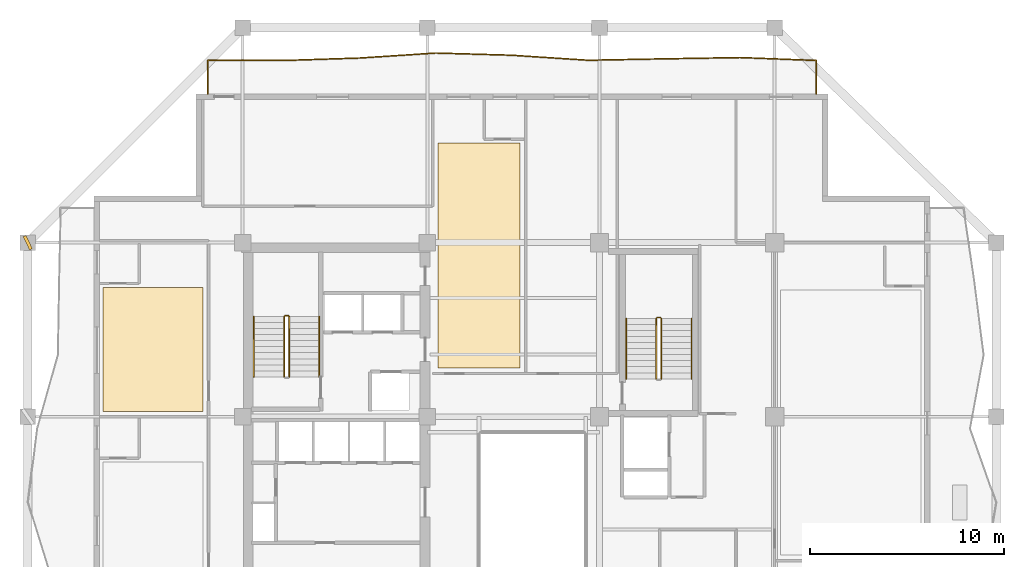
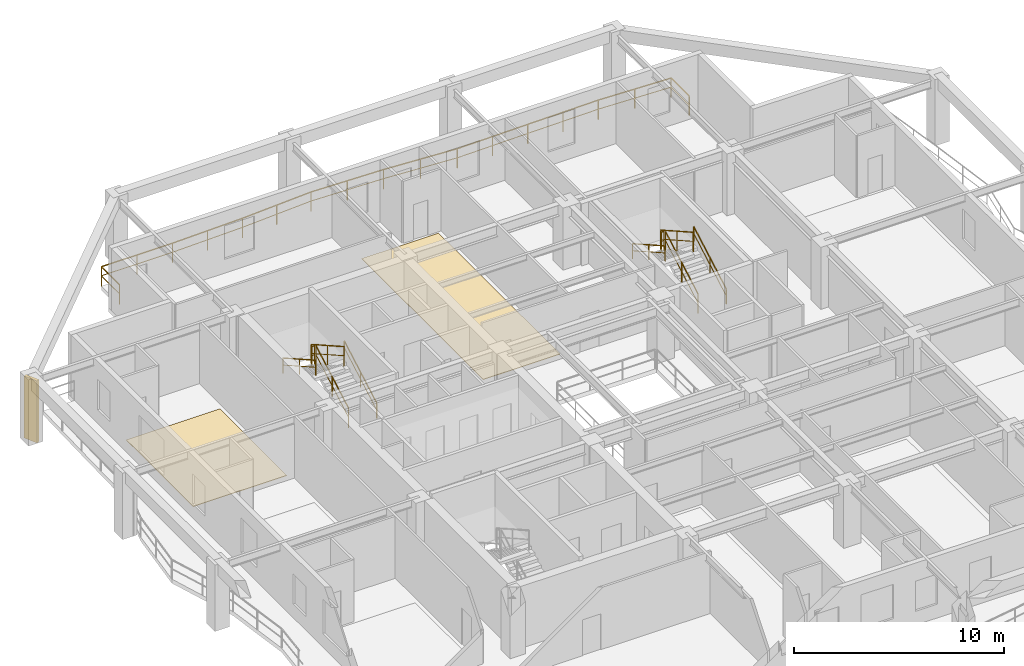
# One storey, part 11 of 12: 11 railings, 2 coverings, 1 shading device.
"""IFC4 building model written with IfcOpenShell, lengths in metres."""

from ifc_helpers import new_model, si_unit, direction, frame, origin, origin_2d, place, context, subcontext, project, spatial, polyline, rectangle, outline, extrude, material, layer, layer_set, type_object, element, save


model = new_model("IFC4")

# Units and contexts
model_context = context("Model", 3, precision=1e-05, world=origin(), true_north=direction((0.0, 1.0)))
body_context = subcontext(model_context, "Body", "Model", "MODEL_VIEW")
ifc_project = project(units=[si_unit("LENGTHUNIT", "METRE"), si_unit("AREAUNIT", "SQUARE_METRE"), si_unit("VOLUMEUNIT", "CUBIC_METRE"), si_unit("PLANEANGLEUNIT", "RADIAN"), si_unit("MASSUNIT", "GRAM", prefix="KILO")], contexts=[model_context])

# Site, building, storey
site_placement = place(None, origin())
site = spatial("IfcSite", under=ifc_project, at=site_placement, CompositionType="ELEMENT")
building_placement = place(site_placement, origin())
building = spatial("IfcBuilding", under=site, at=building_placement, Name="Kundavana Baori Tower", CompositionType="ELEMENT")
storey_placement = place(building_placement, frame((0.0, 0.0, 173.300048828125)))
storey = spatial("IfcBuildingStorey", under=building, at=storey_placement, Name="L42", CompositionType="ELEMENT", Elevation=173.300048828125)

# Coverings
ifc_material_1 = material(Name="Honed Kota Stone and Terrazzo Flooring", Category="masonry")
ifc_layer = layer(ifc_material_1, 0.030029296875, Name="COV-INT-FLR")
ifc_layer_set = layer_set([ifc_layer], Name="Honed Kota Stone and Terrazzo Flooring")
covering_type = type_object("IfcCoveringType", Name="COV-INT-FLR", PredefinedType="FLOORING", material=ifc_layer_set)
covering_1_placement = place(storey_placement, origin())
element("IfcCovering", 1, at=covering_1_placement, inside=storey, type_object=covering_type, Name="L42 Room Finished Stone Flooring 3", PredefinedType="FLOORING", context=body_context, shape_type="SweptSolid", body=[
    extrude(outline(polyline([(8.280029296875, 33.280029296875), (13.419921875, 33.280029296875), (13.419921875, 39.64990234375), (8.280029296875, 39.64990234375), (8.280029296875, 33.280029296875)])), origin(), (0.0, 0.0, 1.0), 0.030029296875),
])
covering_2_placement = place(storey_placement, origin())
element("IfcCovering", 2, at=covering_2_placement, inside=storey, type_object=covering_type, Name="L42 Room Finished Stone Flooring 9", PredefinedType="FLOORING", context=body_context, shape_type="SweptSolid", body=[
    extrude(outline(polyline([(25.5, 35.5), (29.719970703125, 35.5), (29.719970703125, 47.070068359375), (25.5, 47.070068359375), (25.5, 35.5)])), origin(), (0.0, 0.0, 1.0), 0.030029296875),
])

# Railings
ifc_material_2 = material(Name="Architectural Patinated Bronze Metalwork")
railing_type_1 = type_object("IfcRailingType", Name="RL-BAL-1150", PredefinedType="BALUSTRADE", material=ifc_material_2)
railing_1_placement = place(storey_placement, frame((13.64990234375, 49.60009765625, 0.0)))
element("IfcRailing", 3, at=railing_1_placement, inside=storey, type_object=railing_type_1, Name="L42 Loggia Balcony Balustrade N", PredefinedType="BALUSTRADE", context=body_context, shape_type="SweptSolid", body=[
    extrude(rectangle(XDim=0.048095703125, YDim=0.048095703125, at=origin_2d()), frame((0.0, 0.0, 1.1259765625), z_axis=(0.0, 1.0, 0.0), x_axis=(-1.0, 0.0, 0.0)), (0.0, 0.0, 1.0), 1.719970703125),
    extrude(rectangle(XDim=0.03125, YDim=0.03125, at=origin_2d()), frame((0.0, 0.0, 0.597900390625), z_axis=(0.0, 1.0, 0.0), x_axis=(-1.0, 0.0, 0.0)), (0.0, 0.0, 1.0), 1.719970703125),
    extrude(rectangle(XDim=0.048095703125, YDim=0.048095703125, at=origin_2d()), frame((0.0, 1.719970703125, 1.1259765625), z_axis=(1.0, 0.0, 0.0), x_axis=(0.0, 1.0, 0.0)), (0.0, 0.0, 1.0), 3.912109375),
    extrude(rectangle(XDim=0.03125, YDim=0.03125, at=origin_2d()), frame((0.0, 1.719970703125, 0.597900390625), z_axis=(1.0, 0.0, 0.0), x_axis=(0.0, 1.0, 0.0)), (0.0, 0.0, 1.0), 3.912109375),
    extrude(rectangle(XDim=0.048095703125, YDim=0.048095703125, at=origin_2d()), frame((3.912109375, 1.719970703125, 1.1259765625), z_axis=(0.999474133691, 0.032426163559, 0.0), x_axis=(-0.032426163559, 0.999474133691, 0.0)), (0.0, 0.0, 1.0), 3.9150390625),
    extrude(rectangle(XDim=0.03125, YDim=0.03125, at=origin_2d()), frame((3.912109375, 1.719970703125, 0.597900390625), z_axis=(0.999474133691, 0.032426163559, 0.0), x_axis=(-0.032426163559, 0.999474133691, 0.0)), (0.0, 0.0, 1.0), 3.9150390625),
    extrude(rectangle(XDim=0.048095703125, YDim=0.048095703125, at=origin_2d()), frame((7.8251953125, 1.846923828125, 1.1259765625), z_axis=(0.997848610689, 0.065560278721, 0.0), x_axis=(-0.065560278721, 0.997848610689, 0.0)), (0.0, 0.0, 1.0), 3.92138671875),
    extrude(rectangle(XDim=0.03125, YDim=0.03125, at=origin_2d()), frame((7.8251953125, 1.846923828125, 0.597900390625), z_axis=(0.997848610689, 0.065560278721, 0.0), x_axis=(-0.065560278721, 0.997848610689, 0.0)), (0.0, 0.0, 1.0), 3.92138671875),
    extrude(rectangle(XDim=0.048095703125, YDim=0.048095703125, at=origin_2d()), frame((11.738037109375, 2.10400390625, 1.1259765625), z_axis=(0.999575590256, -0.029131415417, 0.0), x_axis=(0.029131415417, 0.999575590256, 0.0)), (0.0, 0.0, 1.0), 3.913818359375),
    extrude(rectangle(XDim=0.03125, YDim=0.03125, at=origin_2d()), frame((11.738037109375, 2.10400390625, 0.597900390625), z_axis=(0.999575590256, -0.029131415417, 0.0), x_axis=(0.029131415417, 0.999575590256, 0.0)), (0.0, 0.0, 1.0), 3.913818359375),
    extrude(rectangle(XDim=0.048095703125, YDim=0.048095703125, at=origin_2d()), frame((15.650146484375, 1.989990234375, 1.1259765625), z_axis=(0.997832288016, -0.065808244115, 0.0), x_axis=(0.065808244115, 0.997832288016, 0.0)), (0.0, 0.0, 1.0), 3.92138671875),
    extrude(rectangle(XDim=0.03125, YDim=0.03125, at=origin_2d()), frame((15.650146484375, 1.989990234375, 0.597900390625), z_axis=(0.997832288016, -0.065808244115, 0.0), x_axis=(0.065808244115, 0.997832288016, 0.0)), (0.0, 0.0, 1.0), 3.92138671875),
    extrude(rectangle(XDim=0.048095703125, YDim=0.048095703125, at=origin_2d()), frame((19.56298828125, 1.73193359375, 1.1259765625), z_axis=(0.99982127021, 0.01890575667, 0.0), x_axis=(-0.01890575667, 0.99982127021, 0.0)), (0.0, 0.0, 1.0), 3.912841796875),
    extrude(rectangle(XDim=0.03125, YDim=0.03125, at=origin_2d()), frame((19.56298828125, 1.73193359375, 0.597900390625), z_axis=(0.99982127021, 0.01890575667, 0.0), x_axis=(-0.01890575667, 0.99982127021, 0.0)), (0.0, 0.0, 1.0), 3.912841796875),
    extrude(rectangle(XDim=0.048095703125, YDim=0.048095703125, at=origin_2d()), frame((23.47509765625, 1.805908203125, 1.1259765625), z_axis=(0.999862315545, 0.01659367207, 0.0), x_axis=(-0.01659367207, 0.999862315545, 0.0)), (0.0, 0.0, 1.0), 3.91357421875),
    extrude(rectangle(XDim=0.03125, YDim=0.03125, at=origin_2d()), frame((23.47509765625, 1.805908203125, 0.597900390625), z_axis=(0.999862315545, 0.01659367207, 0.0), x_axis=(-0.01659367207, 0.999862315545, 0.0)), (0.0, 0.0, 1.0), 3.91357421875),
    extrude(rectangle(XDim=0.048095703125, YDim=0.048095703125, at=origin_2d()), frame((27.38818359375, 1.870849609375, 1.1259765625), z_axis=(0.999257023507, -0.038540899989, 0.0), x_axis=(0.038540899989, 0.999257023507, 0.0)), (0.0, 0.0, 1.0), 3.914794921875),
    extrude(rectangle(XDim=0.03125, YDim=0.03125, at=origin_2d()), frame((27.38818359375, 1.870849609375, 0.597900390625), z_axis=(0.999257023507, -0.038540899989, 0.0), x_axis=(0.038540899989, 0.999257023507, 0.0)), (0.0, 0.0, 1.0), 3.914794921875),
    extrude(rectangle(XDim=0.048095703125, YDim=0.048095703125, at=origin_2d()), frame((31.300048828125, 1.719970703125, 1.1259765625), z_axis=(0.0, -1.0, 0.0), x_axis=(1.0, 0.0, 0.0)), (0.0, 0.0, 1.0), 1.719970703125),
    extrude(rectangle(XDim=0.03125, YDim=0.03125, at=origin_2d()), frame((31.300048828125, 1.719970703125, 0.597900390625), z_axis=(0.0, -1.0, 0.0), x_axis=(1.0, 0.0, 0.0)), (0.0, 0.0, 1.0), 1.719970703125),
    extrude(rectangle(XDim=0.0419921875, YDim=0.0419921875, at=origin_2d()), origin(), (0.0, 0.0, 1.0), 1.101806640625),
    extrude(rectangle(XDim=0.0419921875, YDim=0.0419921875, at=origin_2d()), frame((0.0, 1.719970703125, 0.0)), (0.0, 0.0, 1.0), 1.101806640625),
    extrude(rectangle(XDim=0.0419921875, YDim=0.0419921875, at=origin_2d()), frame((1.9560546875, 1.719970703125, 0.0)), (0.0, 0.0, 1.0), 1.101806640625),
    extrude(rectangle(XDim=0.0419921875, YDim=0.0419921875, at=origin_2d()), frame((3.912109375, 1.719970703125, 0.0)), (0.0, 0.0, 1.0), 1.101806640625),
    extrude(rectangle(XDim=0.0419921875, YDim=0.0419921875, at=origin_2d()), frame((5.86865234375, 1.783447265625, 0.0)), (0.0, 0.0, 1.0), 1.101806640625),
    extrude(rectangle(XDim=0.0419921875, YDim=0.0419921875, at=origin_2d()), frame((7.8251953125, 1.846923828125, 0.0)), (0.0, 0.0, 1.0), 1.101806640625),
    extrude(rectangle(XDim=0.0419921875, YDim=0.0419921875, at=origin_2d()), frame((9.78173828125, 1.9755859375, 0.0)), (0.0, 0.0, 1.0), 1.101806640625),
    extrude(rectangle(XDim=0.0419921875, YDim=0.0419921875, at=origin_2d()), frame((11.738037109375, 2.10400390625, 0.0)), (0.0, 0.0, 1.0), 1.101806640625),
    extrude(rectangle(XDim=0.0419921875, YDim=0.0419921875, at=origin_2d()), frame((13.694091796875, 2.046875, 0.0)), (0.0, 0.0, 1.0), 1.101806640625),
    extrude(rectangle(XDim=0.0419921875, YDim=0.0419921875, at=origin_2d()), frame((15.650146484375, 1.989990234375, 0.0)), (0.0, 0.0, 1.0), 1.101806640625),
    extrude(rectangle(XDim=0.0419921875, YDim=0.0419921875, at=origin_2d()), frame((17.6064453125, 1.86083984375, 0.0)), (0.0, 0.0, 1.0), 1.101806640625),
    extrude(rectangle(XDim=0.0419921875, YDim=0.0419921875, at=origin_2d()), frame((19.56298828125, 1.73193359375, 0.0)), (0.0, 0.0, 1.0), 1.101806640625),
    extrude(rectangle(XDim=0.0419921875, YDim=0.0419921875, at=origin_2d()), frame((21.51904296875, 1.76904296875, 0.0)), (0.0, 0.0, 1.0), 1.101806640625),
    extrude(rectangle(XDim=0.0419921875, YDim=0.0419921875, at=origin_2d()), frame((23.47509765625, 1.805908203125, 0.0)), (0.0, 0.0, 1.0), 1.101806640625),
    extrude(rectangle(XDim=0.0419921875, YDim=0.0419921875, at=origin_2d()), frame((25.431640625, 1.83837890625, 0.0)), (0.0, 0.0, 1.0), 1.101806640625),
    extrude(rectangle(XDim=0.0419921875, YDim=0.0419921875, at=origin_2d()), frame((27.38818359375, 1.870849609375, 0.0)), (0.0, 0.0, 1.0), 1.101806640625),
    extrude(rectangle(XDim=0.0419921875, YDim=0.0419921875, at=origin_2d()), frame((29.34423828125, 1.79541015625, 0.0)), (0.0, 0.0, 1.0), 1.101806640625),
    extrude(rectangle(XDim=0.0419921875, YDim=0.0419921875, at=origin_2d()), frame((31.300048828125, 1.719970703125, 0.0)), (0.0, 0.0, 1.0), 1.101806640625),
    extrude(rectangle(XDim=0.0419921875, YDim=0.0419921875, at=origin_2d()), frame((31.300048828125, 0.0, 0.0)), (0.0, 0.0, 1.0), 1.101806640625),
])
ifc_material_3 = material(Name="Architectural Patinated Bronze Metalwork")
railing_type_2 = type_object("IfcRailingType", Name="RL-GRD-1150", PredefinedType="GUARDRAIL", material=ifc_material_3)
railing_2_placement = place(storey_placement, frame((17.840087890625, 35.050048828125, 0.175048828125)))
element("IfcRailing", 4, at=railing_2_placement, inside=storey, type_object=railing_type_2, Name="L42 ST2 stair guard 1", PredefinedType="GUARDRAIL", context=body_context, shape_type="SweptSolid", body=[
    extrude(rectangle(XDim=0.048095703125, YDim=0.048095703125, at=origin_2d()), frame((0.0, 0.0, 1.1259765625), z_axis=(0.0, 0.870814364268, 0.491611984175), x_axis=(-1.0, 0.0, 0.0)), (0.0, 0.0, 1.0), 3.559814453125),
    extrude(rectangle(XDim=0.03125, YDim=0.03125, at=origin_2d()), frame((0.0, 0.0, 0.597900390625), z_axis=(0.0, 0.870814364268, 0.491611984175), x_axis=(-1.0, 0.0, 0.0)), (0.0, 0.0, 1.0), 3.559814453125),
    extrude(rectangle(XDim=0.0419921875, YDim=0.0419921875, at=origin_2d()), origin(), (0.0, 0.0, 1.0), 1.101806640625),
    extrude(rectangle(XDim=0.0419921875, YDim=0.0419921875, at=origin_2d()), frame((0.0, 1.5498046875, 0.875)), (0.0, 0.0, 1.0), 1.101806640625),
    extrude(rectangle(XDim=0.0419921875, YDim=0.0419921875, at=origin_2d()), frame((0.0, 3.099853515625, 1.75)), (0.0, 0.0, 1.0), 1.101806640625),
])
railing_3_placement = place(storey_placement, frame((17.7900390625, 38.199951171875, 1.925048828125)))
element("IfcRailing", 5, at=railing_3_placement, inside=storey, type_object=railing_type_2, Name="L42 ST2 stair guard 2", PredefinedType="GUARDRAIL", context=body_context, shape_type="SweptSolid", body=[
    extrude(rectangle(XDim=0.048095703125, YDim=0.048095703125, at=origin_2d()), frame((0.0, 0.0, 1.1259765625), z_axis=(-1.0, 0.0, 0.0), x_axis=(0.0, -1.0, 0.0)), (0.0, 0.0, 1.0), 0.16015625),
    extrude(rectangle(XDim=0.03125, YDim=0.03125, at=origin_2d()), frame((0.0, 0.0, 0.597900390625), z_axis=(-1.0, 0.0, 0.0), x_axis=(0.0, -1.0, 0.0)), (0.0, 0.0, 1.0), 0.16015625),
    extrude(rectangle(XDim=0.0419921875, YDim=0.0419921875, at=origin_2d()), origin(), (0.0, 0.0, 1.0), 1.101806640625),
    extrude(rectangle(XDim=0.0419921875, YDim=0.0419921875, at=origin_2d()), frame((-0.16015625, 0.0, 0.0)), (0.0, 0.0, 1.0), 1.101806640625),
])
railing_4_placement = place(storey_placement, frame((17.580078125, 38.14990234375, 2.099853515625)))
element("IfcRailing", 6, at=railing_4_placement, inside=storey, type_object=railing_type_2, Name="L42 ST2 stair guard 3", PredefinedType="GUARDRAIL", context=body_context, shape_type="SweptSolid", body=[
    extrude(rectangle(XDim=0.048095703125, YDim=0.048095703125, at=origin_2d()), frame((0.0, 0.0, 1.1259765625), z_axis=(0.0, -0.870814364268, 0.491611984175), x_axis=(1.0, 0.0, 0.0)), (0.0, 0.0, 1.0), 3.559814453125),
    extrude(rectangle(XDim=0.03125, YDim=0.03125, at=origin_2d()), frame((0.0, 0.0, 0.597900390625), z_axis=(0.0, -0.870814364268, 0.491611984175), x_axis=(1.0, 0.0, 0.0)), (0.0, 0.0, 1.0), 3.559814453125),
    extrude(rectangle(XDim=0.0419921875, YDim=0.0419921875, at=origin_2d()), origin(), (0.0, 0.0, 1.0), 1.101806640625),
    extrude(rectangle(XDim=0.0419921875, YDim=0.0419921875, at=origin_2d()), frame((0.0, -1.5498046875, 0.875)), (0.0, 0.0, 1.0), 1.101806640625),
    extrude(rectangle(XDim=0.0419921875, YDim=0.0419921875, at=origin_2d()), frame((0.0, -3.099853515625, 1.75)), (0.0, 0.0, 1.0), 1.101806640625),
])
railing_5_placement = place(storey_placement, frame((36.97998046875, 34.949951171875, 0.175048828125)))
element("IfcRailing", 7, at=railing_5_placement, inside=storey, type_object=railing_type_2, Name="L42 ST3 stair guard 1", PredefinedType="GUARDRAIL", context=body_context, shape_type="SweptSolid", body=[
    extrude(rectangle(XDim=0.048095703125, YDim=0.048095703125, at=origin_2d()), frame((0.0, 0.0, 1.1259765625), z_axis=(0.0, 0.870830938388, 0.491582624537), x_axis=(-1.0, 0.0, 0.0)), (0.0, 0.0, 1.0), 3.559814453125),
    extrude(rectangle(XDim=0.03125, YDim=0.03125, at=origin_2d()), frame((0.0, 0.0, 0.597900390625), z_axis=(0.0, 0.870830938388, 0.491582624537), x_axis=(-1.0, 0.0, 0.0)), (0.0, 0.0, 1.0), 3.559814453125),
    extrude(rectangle(XDim=0.0419921875, YDim=0.0419921875, at=origin_2d()), origin(), (0.0, 0.0, 1.0), 1.101806640625),
    extrude(rectangle(XDim=0.0419921875, YDim=0.0419921875, at=origin_2d()), frame((0.0, 1.550048828125, 0.875)), (0.0, 0.0, 1.0), 1.101806640625),
    extrude(rectangle(XDim=0.0419921875, YDim=0.0419921875, at=origin_2d()), frame((0.0, 3.10009765625, 1.75)), (0.0, 0.0, 1.0), 1.101806640625),
])
railing_6_placement = place(storey_placement, frame((36.929931640625, 38.10009765625, 1.925048828125)))
element("IfcRailing", 8, at=railing_6_placement, inside=storey, type_object=railing_type_2, Name="L42 ST3 stair guard 2", PredefinedType="GUARDRAIL", context=body_context, shape_type="SweptSolid", body=[
    extrude(rectangle(XDim=0.048095703125, YDim=0.048095703125, at=origin_2d()), frame((0.0, 0.0, 1.1259765625), z_axis=(-1.0, 0.0, 0.0), x_axis=(0.0, -1.0, 0.0)), (0.0, 0.0, 1.0), 0.159912109375),
    extrude(rectangle(XDim=0.03125, YDim=0.03125, at=origin_2d()), frame((0.0, 0.0, 0.597900390625), z_axis=(-1.0, 0.0, 0.0), x_axis=(0.0, -1.0, 0.0)), (0.0, 0.0, 1.0), 0.159912109375),
    extrude(rectangle(XDim=0.0419921875, YDim=0.0419921875, at=origin_2d()), origin(), (0.0, 0.0, 1.0), 1.101806640625),
    extrude(rectangle(XDim=0.0419921875, YDim=0.0419921875, at=origin_2d()), frame((-0.159912109375, 0.0, 0.0)), (0.0, 0.0, 1.0), 1.101806640625),
])
railing_7_placement = place(storey_placement, frame((36.719970703125, 38.050048828125, 2.099853515625)))
element("IfcRailing", 9, at=railing_7_placement, inside=storey, type_object=railing_type_2, Name="L42 ST3 stair guard 3", PredefinedType="GUARDRAIL", context=body_context, shape_type="SweptSolid", body=[
    extrude(rectangle(XDim=0.048095703125, YDim=0.048095703125, at=origin_2d()), frame((0.0, 0.0, 1.1259765625), z_axis=(0.0, -0.870830938388, 0.491582624537), x_axis=(1.0, 0.0, 0.0)), (0.0, 0.0, 1.0), 3.559814453125),
    extrude(rectangle(XDim=0.03125, YDim=0.03125, at=origin_2d()), frame((0.0, 0.0, 0.597900390625), z_axis=(0.0, -0.870830938388, 0.491582624537), x_axis=(1.0, 0.0, 0.0)), (0.0, 0.0, 1.0), 3.559814453125),
    extrude(rectangle(XDim=0.0419921875, YDim=0.0419921875, at=origin_2d()), origin(), (0.0, 0.0, 1.0), 1.101806640625),
    extrude(rectangle(XDim=0.0419921875, YDim=0.0419921875, at=origin_2d()), frame((0.0, -1.550048828125, 0.875)), (0.0, 0.0, 1.0), 1.101806640625),
    extrude(rectangle(XDim=0.0419921875, YDim=0.0419921875, at=origin_2d()), frame((0.0, -3.10009765625, 1.75)), (0.0, 0.0, 1.0), 1.101806640625),
])
ifc_material_4 = material(Name="Architectural Patinated Bronze Metalwork")
railing_type_3 = type_object("IfcRailingType", Name="RL-HND-920", PredefinedType="HANDRAIL", material=ifc_material_4)
railing_8_placement = place(storey_placement, frame((19.389892578125, 35.050048828125, 0.175048828125)))
element("IfcRailing", 10, at=railing_8_placement, inside=storey, type_object=railing_type_3, Name="L42 ST2 stair handrail 1", PredefinedType="HANDRAIL", context=body_context, shape_type="SweptSolid", body=[
    extrude(rectangle(XDim=0.048095703125, YDim=0.048095703125, at=origin_2d()), frame((0.0, 0.0, 0.8759765625), z_axis=(0.0, 0.870814364268, 0.491611984175), x_axis=(-1.0, 0.0, 0.0)), (0.0, 0.0, 1.0), 3.559814453125),
    extrude(rectangle(XDim=0.03125, YDim=0.03125, at=origin_2d()), frame((0.0, 0.0, 0.468017578125), z_axis=(0.0, 0.870814364268, 0.491611984175), x_axis=(-1.0, 0.0, 0.0)), (0.0, 0.0, 1.0), 3.559814453125),
    extrude(rectangle(XDim=0.0419921875, YDim=0.0419921875, at=origin_2d()), origin(), (0.0, 0.0, 1.0), 0.851806640625),
    extrude(rectangle(XDim=0.0419921875, YDim=0.0419921875, at=origin_2d()), frame((0.0, 1.5498046875, 0.875)), (0.0, 0.0, 1.0), 0.851806640625),
    extrude(rectangle(XDim=0.0419921875, YDim=0.0419921875, at=origin_2d()), frame((0.0, 3.099853515625, 1.75)), (0.0, 0.0, 1.0), 0.851806640625),
])
railing_9_placement = place(storey_placement, frame((16.030029296875, 38.14990234375, 2.099853515625)))
element("IfcRailing", 11, at=railing_9_placement, inside=storey, type_object=railing_type_3, Name="L42 ST2 stair handrail 2", PredefinedType="HANDRAIL", context=body_context, shape_type="SweptSolid", body=[
    extrude(rectangle(XDim=0.048095703125, YDim=0.048095703125, at=origin_2d()), frame((0.0, 0.0, 0.8759765625), z_axis=(0.0, -0.870814364268, 0.491611984175), x_axis=(1.0, 0.0, 0.0)), (0.0, 0.0, 1.0), 3.559814453125),
    extrude(rectangle(XDim=0.03125, YDim=0.03125, at=origin_2d()), frame((0.0, 0.0, 0.468017578125), z_axis=(0.0, -0.870814364268, 0.491611984175), x_axis=(1.0, 0.0, 0.0)), (0.0, 0.0, 1.0), 3.559814453125),
    extrude(rectangle(XDim=0.0419921875, YDim=0.0419921875, at=origin_2d()), origin(), (0.0, 0.0, 1.0), 0.851806640625),
    extrude(rectangle(XDim=0.0419921875, YDim=0.0419921875, at=origin_2d()), frame((0.0, -1.5498046875, 0.875)), (0.0, 0.0, 1.0), 0.851806640625),
    extrude(rectangle(XDim=0.0419921875, YDim=0.0419921875, at=origin_2d()), frame((0.0, -3.099853515625, 1.75)), (0.0, 0.0, 1.0), 0.851806640625),
])
railing_10_placement = place(storey_placement, frame((38.530029296875, 34.949951171875, 0.175048828125)))
element("IfcRailing", 12, at=railing_10_placement, inside=storey, type_object=railing_type_3, Name="L42 ST3 stair handrail 1", PredefinedType="HANDRAIL", context=body_context, shape_type="SweptSolid", body=[
    extrude(rectangle(XDim=0.048095703125, YDim=0.048095703125, at=origin_2d()), frame((0.0, 0.0, 0.8759765625), z_axis=(0.0, 0.870830938388, 0.491582624537), x_axis=(-1.0, 0.0, 0.0)), (0.0, 0.0, 1.0), 3.559814453125),
    extrude(rectangle(XDim=0.03125, YDim=0.03125, at=origin_2d()), frame((0.0, 0.0, 0.468017578125), z_axis=(0.0, 0.870830938388, 0.491582624537), x_axis=(-1.0, 0.0, 0.0)), (0.0, 0.0, 1.0), 3.559814453125),
    extrude(rectangle(XDim=0.0419921875, YDim=0.0419921875, at=origin_2d()), origin(), (0.0, 0.0, 1.0), 0.851806640625),
    extrude(rectangle(XDim=0.0419921875, YDim=0.0419921875, at=origin_2d()), frame((0.0, 1.550048828125, 0.875)), (0.0, 0.0, 1.0), 0.851806640625),
    extrude(rectangle(XDim=0.0419921875, YDim=0.0419921875, at=origin_2d()), frame((0.0, 3.10009765625, 1.75)), (0.0, 0.0, 1.0), 0.851806640625),
])
railing_11_placement = place(storey_placement, frame((35.169921875, 38.050048828125, 2.099853515625)))
element("IfcRailing", 13, at=railing_11_placement, inside=storey, type_object=railing_type_3, Name="L42 ST3 stair handrail 2", PredefinedType="HANDRAIL", context=body_context, shape_type="SweptSolid", body=[
    extrude(rectangle(XDim=0.048095703125, YDim=0.048095703125, at=origin_2d()), frame((0.0, 0.0, 0.8759765625), z_axis=(0.0, -0.870830938388, 0.491582624537), x_axis=(1.0, 0.0, 0.0)), (0.0, 0.0, 1.0), 3.559814453125),
    extrude(rectangle(XDim=0.03125, YDim=0.03125, at=origin_2d()), frame((0.0, 0.0, 0.468017578125), z_axis=(0.0, -0.870830938388, 0.491582624537), x_axis=(1.0, 0.0, 0.0)), (0.0, 0.0, 1.0), 3.559814453125),
    extrude(rectangle(XDim=0.0419921875, YDim=0.0419921875, at=origin_2d()), origin(), (0.0, 0.0, 1.0), 0.851806640625),
    extrude(rectangle(XDim=0.0419921875, YDim=0.0419921875, at=origin_2d()), frame((0.0, -1.550048828125, 0.875)), (0.0, 0.0, 1.0), 0.851806640625),
    extrude(rectangle(XDim=0.0419921875, YDim=0.0419921875, at=origin_2d()), frame((0.0, -3.10009765625, 1.75)), (0.0, 0.0, 1.0), 0.851806640625),
])

# Shading device
ifc_material_5 = material(Name="Red-Buff Dholpur Sandstone Cladding on Concrete C40/50", Category="masonry")
shading_device_type = type_object("IfcShadingDeviceType", Name="SHD-FIN-750", PredefinedType="JALOUSIE", material=ifc_material_5)
shading_device_placement = place(storey_placement, frame((4.39990234375, 41.949951171875, 0.0), z_axis=(0.0, 0.0, 1.0), x_axis=(0.902660408963, 0.430353559402, 0.0)))
element("IfcShadingDevice", 14, at=shading_device_placement, inside=storey, type_object=shading_device_type, Name="L42 Sweeping Dholpur Sandstone Facade Fin 8", PredefinedType="JALOUSIE", context=body_context, shape_type="SweptSolid", body=[
    extrude(rectangle(XDim=0.159912109375, YDim=0.75, at=origin_2d()), origin(), (0.0, 0.0, 1.0), 3.60009765625),
])

save(model, "model.ifc")
